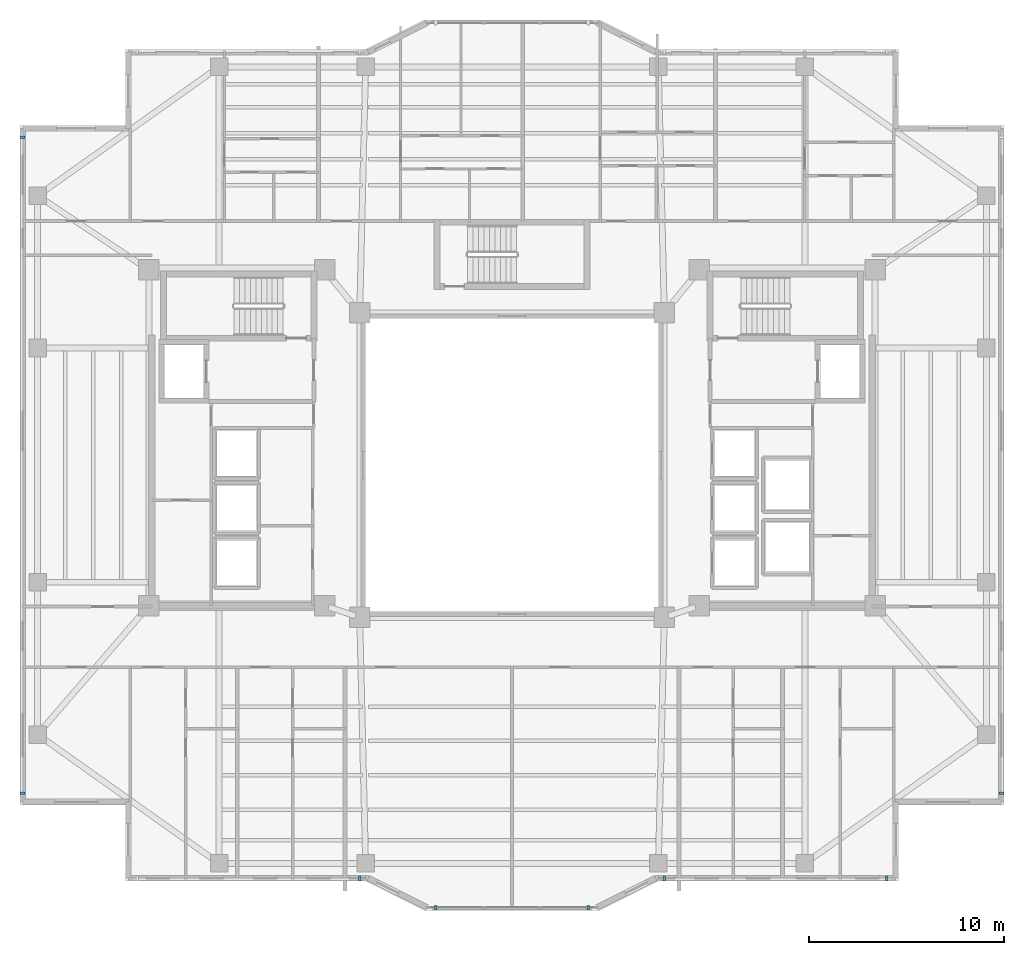
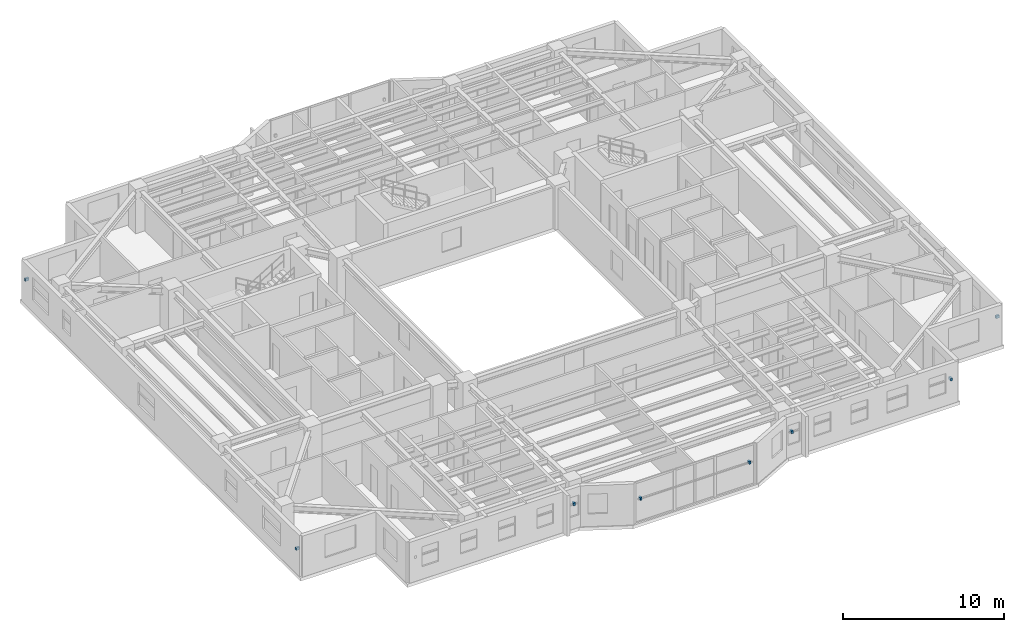
# One storey, part 12 of 16: 8 discrete accessories.
"""IFC4 building model written with IfcOpenShell, lengths in metres."""

from ifc_helpers import new_model, si_unit, direction, frame, origin, origin_2d, place, context, subcontext, project, spatial, rectangle, extrude, material, type_object, element, save


model = new_model("IFC4")

# Units and contexts
model_context = context("Model", 3, precision=1e-05, world=origin(), true_north=direction((0.0, 1.0)))
body_context = subcontext(model_context, "Body", "Model", "MODEL_VIEW")
ifc_project = project(units=[si_unit("LENGTHUNIT", "METRE"), si_unit("AREAUNIT", "SQUARE_METRE"), si_unit("VOLUMEUNIT", "CUBIC_METRE"), si_unit("PLANEANGLEUNIT", "RADIAN"), si_unit("MASSUNIT", "GRAM", prefix="KILO")], contexts=[model_context])

# Site, building, storey
site_placement = place(None, origin())
site = spatial("IfcSite", under=ifc_project, at=site_placement, CompositionType="ELEMENT")
building_placement = place(site_placement, origin())
building = spatial("IfcBuilding", under=site, at=building_placement, Name="Tarnavaz Court Tower", CompositionType="ELEMENT")
storey_placement = place(building_placement, frame((0.0, 0.0, 156.050048828125)))
storey = spatial("IfcBuildingStorey", under=building, at=storey_placement, Name="L42", CompositionType="ELEMENT", Elevation=156.050048828125)

# Discrete accessories
ifc_material = material(Name="Anodised Aluminium 6063-T6", Category="aluminium")
discrete_accessory_type = type_object("IfcDiscreteAccessoryType", Name="DA-BRKT-ALU", PredefinedType="BRACKET", material=ifc_material)
for number, where, z_axis, x_axis, name in (
    (1, (-25.070068359375, -16.800048828125, 1.75), (0.0, 0.0, 1.0), (0.0, 1.0, 0.0), "L42 Baguette Outrigger Bracket FBG02-1"),
    (2, (-25.070068359375, 16.800048828125, 1.75), (0.0, 0.0, 1.0), (0.0, 1.0, 0.0), "L42 Baguette Outrigger Bracket FBG02-2"),
    (3, (25.070068359375, -16.800048828125, 1.75), (0.0, 0.0, 1.0), (0.0, -1.0, 0.0), "L42 Baguette Outrigger Bracket FBG12-2"),
    (4, (19.199951171875, -21.169921875, 1.75), (0.0, 0.0, 1.0), (-1.0, 0.0, 0.0), "L42 Baguette Outrigger Bracket FBG15-1"),
    (5, (7.800048828125, -21.169921875, 1.75), (0.0, 0.0, 1.0), (-1.0, 0.0, 0.0), "L42 Baguette Outrigger Bracket FBG15-2"),
    (6, (3.89990234375, -22.669921875, 1.7001953125), (0.0, 0.0, 1.0), (-1.0, 0.0, 0.0), "L42 Baguette Outrigger Bracket PBG17-1"),
    (7, (-3.89990234375, -22.669921875, 1.7001953125), (0.0, 0.0, 1.0), (-1.0, 0.0, 0.0), "L42 Baguette Outrigger Bracket PBG17-2"),
    (8, (-7.800048828125, -21.169921875, 1.75), (0.0, 0.0, 1.0), (-1.0, 0.0, 0.0), "L42 Baguette Outrigger Bracket FBG19-1"),
):
    element("IfcDiscreteAccessory", number, at=place(storey_placement, frame(where, z_axis=z_axis, x_axis=x_axis)), inside=storey, type_object=discrete_accessory_type, Name=name, PredefinedType="BRACKET", context=body_context, shape_type="SweptSolid", body=[
        extrude(rectangle(XDim=0.139892578125, YDim=0.239990234375, at=origin_2d()), origin(), (0.0, 0.0, 1.0), 0.199951171875),
    ])

save(model, "model.ifc")
